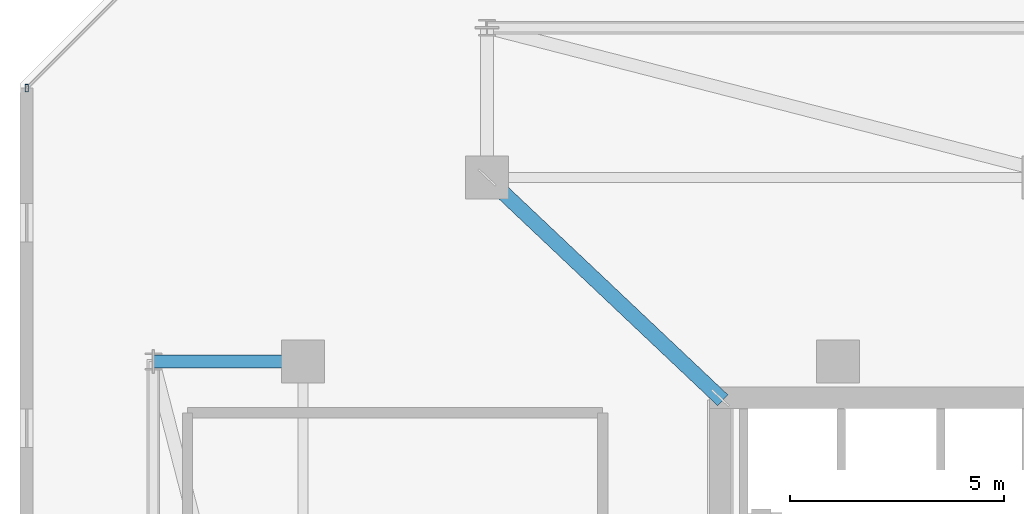
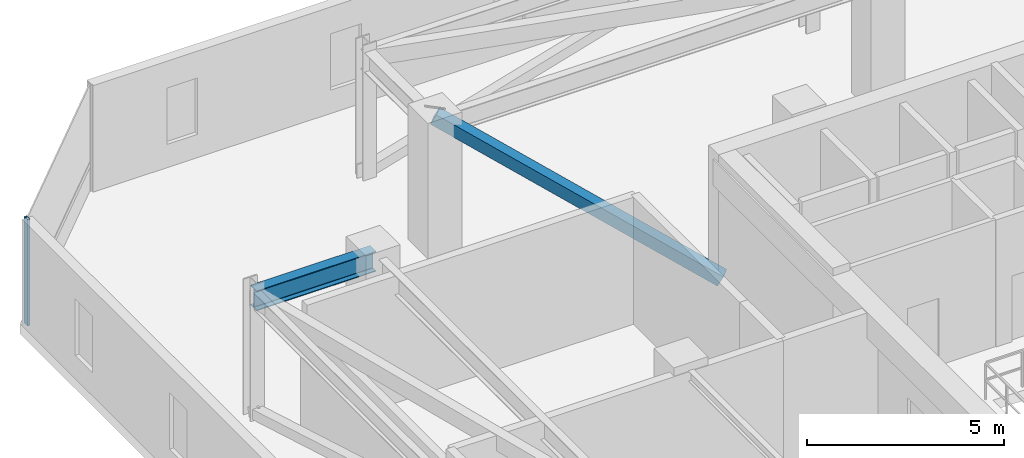
# One storey, part 13 of 42: 2 members, 1 beam, 1 element without a shape of its own.
"""IFC4 building model written with IfcOpenShell, lengths in metres."""

from ifc_helpers import new_model, si_unit, direction, frame, origin, origin_2d, place, context, subcontext, project, spatial, hollow_rectangle, i_section, extrude, material, material_profile, profile_set, type_object, element, aggregate, save


model = new_model("IFC4")

# Units and contexts
model_context = context("Model", 3, precision=1e-05, world=origin(), true_north=direction((0.0, 1.0)))
body_context = subcontext(model_context, "Body", "Model", "MODEL_VIEW")
ifc_project = project(units=[si_unit("LENGTHUNIT", "METRE"), si_unit("AREAUNIT", "SQUARE_METRE"), si_unit("VOLUMEUNIT", "CUBIC_METRE"), si_unit("PLANEANGLEUNIT", "RADIAN"), si_unit("MASSUNIT", "GRAM", prefix="KILO")], contexts=[model_context])

# Site, building, storey
site_placement = place(None, origin())
site = spatial("IfcSite", under=ifc_project, at=site_placement, CompositionType="ELEMENT")
building_placement = place(site_placement, origin())
building = spatial("IfcBuilding", under=site, at=building_placement, Name="Thornwick Lancets Civic Towers", CompositionType="ELEMENT")
storey_placement = place(building_placement, frame((0.0, 0.0, 221.699951171875)))
storey = spatial("IfcBuildingStorey", under=building, at=storey_placement, Name="L59", CompositionType="ELEMENT", Elevation=221.699951171875)

# Beam
ifc_material_1 = material(Name="Steel S355JR", Category="steel")
ifc_material_profile_1 = material_profile(ifc_material_1, i_section(OverallWidth=0.30712890625, OverallDepth=0.6201171875, WebThickness=0.01416015625, FlangeThickness=0.023681640625, FilletRadius=0.0166015625, at=origin_2d()), Name="UKB 610x305x179")
ifc_profile_set_1 = profile_set([ifc_material_profile_1], Name="Steel S355JR")
beam_type = type_object("IfcBeamType", Name="BM_GIRD_610_179", PredefinedType="BEAM", material=ifc_profile_set_1)
beam_placement = place(storey_placement, frame((8.199951171875, 40.0, 3.64990234375), z_axis=(-1.0, 0.0, 0.0), x_axis=(0.0, -1.0, 0.0)))
element("IfcBeam", 1, at=beam_placement, inside=storey, type_object=beam_type, Name="BM-RAD-L59-A12", PredefinedType="BEAM", context=body_context, shape_type="SweptSolid", body=[
    extrude(i_section(OverallWidth=0.30712890625, OverallDepth=0.6201171875, WebThickness=0.01416015625, FlangeThickness=0.023681640625, FilletRadius=0.0166015625, at=origin_2d()), origin(), (0.0, 0.0, 1.0), 3.5),
])

# Curtain wall, member
ifc_material_2 = material(Name="High-zone chamfered-corner unitised glass curtain wall", Category="glass")
curtain_wall_type = type_object("IfcCurtainWallType", Name="CW_SYS_05", PredefinedType="NOTDEFINED", material=ifc_material_2)
curtain_wall_placement = place(storey_placement, origin())
curtain_wall = element("IfcCurtainWall", 2, at=curtain_wall_placement, inside=storey, type_object=curtain_wall_type, Name="L59 Curtain Wall CW-L59-A-E5", PredefinedType="NOTDEFINED")
ifc_material_3 = material(Name="Thermally broken bronze aluminium S355", Category="steel")
ifc_material_profile_2 = material_profile(ifc_material_3, hollow_rectangle(XDim=0.074951171875, YDim=0.179931640625, WallThickness=0.006103515625, at=origin_2d()), Name="RHS 180x75x6")
ifc_profile_set_2 = profile_set([ifc_material_profile_2], Name="Thermally broken bronze aluminium S355")
member_type_1 = type_object("IfcMemberType", Name="CW_MUL_180", PredefinedType="MULLION", material=ifc_profile_set_2)
member_1_placement = place(storey_placement, frame((1.7412109375, 46.388427734375, 0.0), z_axis=(0.0, 0.0, 1.0), x_axis=(1.0, 0.0, 0.0)))
member_1 = element("IfcMember", 3, at=member_1_placement, type_object=member_type_1, Name="CW-L59-A-E5 Mullion 1", PredefinedType="MULLION", context=body_context, shape_type="SweptSolid", body=[
    extrude(hollow_rectangle(XDim=0.074951171875, YDim=0.179931640625, WallThickness=0.006103515625, at=origin_2d()), origin(), (0.0, 0.0, 1.0), 3.300048828125),
])
aggregate(curtain_wall, [member_1])

# Member
ifc_material_4 = material(Name="Steel S460M", Category="steel")
ifc_material_profile_3 = material_profile(ifc_material_4, hollow_rectangle(XDim=0.35009765625, YDim=0.35009765625, WallThickness=0.01611328125, at=origin_2d()), Name="SHS 350x350x16")
ifc_profile_set_3 = profile_set([ifc_material_profile_3], Name="Steel S460M")
member_type_2 = type_object("IfcMemberType", Name="MEM_OUTRIG_SHS350", PredefinedType="BRACE", material=ifc_profile_set_3)
member_2_placement = place(storey_placement, frame((17.949951171875, 39.14990234375, 0.150146484375), z_axis=(-0.647974699772, 0.612329269887, 0.452969815434), x_axis=(-0.686832880872, -0.726815378038, 0.0)))
element("IfcMember", 4, at=member_2_placement, inside=storey, type_object=member_type_2, Name="L59 Outrigger Brace A-4", PredefinedType="BRACE", context=body_context, shape_type="SweptSolid", body=[
    extrude(hollow_rectangle(XDim=0.35009765625, YDim=0.35009765625, WallThickness=0.01611328125, at=origin_2d()), origin(), (0.0, 0.0, 1.0), 8.41064453125),
])

save(model, "model.ifc")
